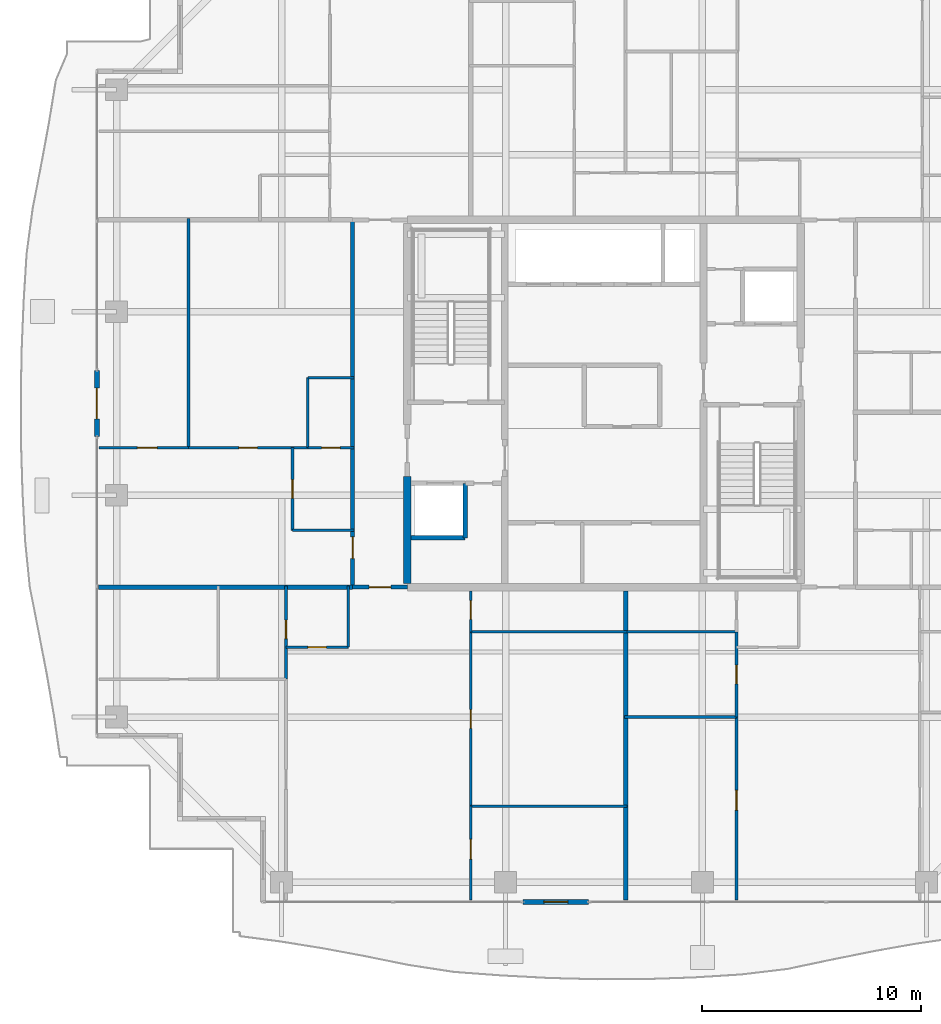
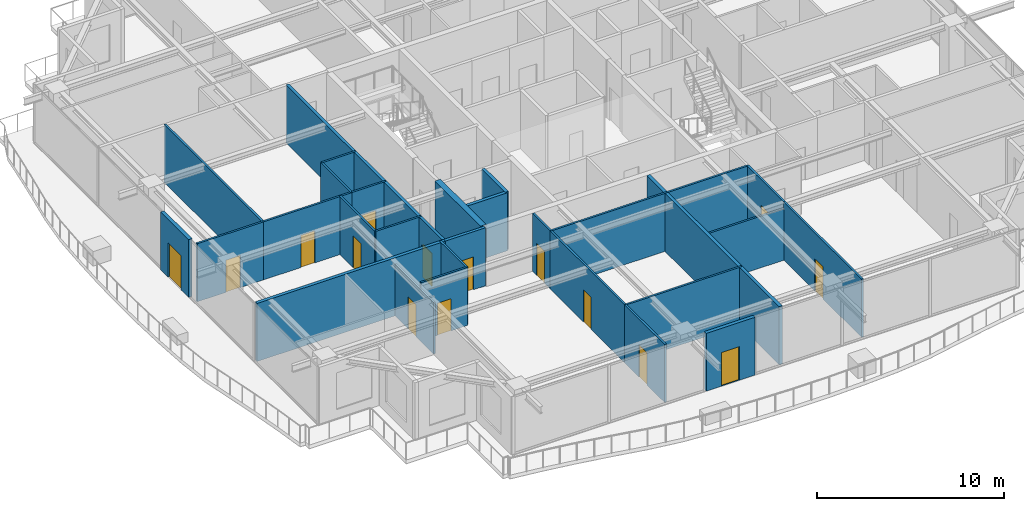
# One storey, part 27 of 38: 29 walls, 15 doors, 15 openings.
"""IFC4 building model written with IfcOpenShell, lengths in metres."""

from ifc_helpers import new_model, si_unit, direction, frame, frame_2d, origin, place, context, subcontext, project, spatial, rectangle, extrude, source, transform, mapped, material, layer, layer_set, type_object, element, fill, save


model = new_model("IFC4")

# Units and contexts
model_context = context("Model", 3, precision=1e-05, world=origin(), true_north=direction((0.0, 1.0)))
body_context = subcontext(model_context, "Body", "Model", "MODEL_VIEW")
ifc_project = project(units=[si_unit("LENGTHUNIT", "METRE"), si_unit("AREAUNIT", "SQUARE_METRE"), si_unit("VOLUMEUNIT", "CUBIC_METRE"), si_unit("PLANEANGLEUNIT", "RADIAN"), si_unit("MASSUNIT", "GRAM", prefix="KILO")], contexts=[model_context])

# Site, building, storey
site_placement = place(None, origin())
site = spatial("IfcSite", under=ifc_project, at=site_placement, CompositionType="ELEMENT")
building_placement = place(site_placement, origin())
building = spatial("IfcBuilding", under=site, at=building_placement, Name="Serunith Strait Residences", CompositionType="ELEMENT")
storey_placement = place(building_placement, frame((0.0, 0.0, 321.800048828125)))
storey = spatial("IfcBuildingStorey", under=building, at=storey_placement, Name="L80", CompositionType="ELEMENT", Elevation=321.800048828125)

# Wall, opening, door
ifc_material_1 = material(Name="Pale-Champagne Aluminium Insulated Panel", Category="aluminium")
ifc_layer_1 = layer(ifc_material_1, 0.219970703125, Name="Pale-Champagne Aluminium Insulated Panel")
ifc_layer_set_1 = layer_set([ifc_layer_1], Name="Pale-Champagne Aluminium Insulated Panel")
wall_type_1 = type_object("IfcWallType", Name="EW-ALUM-220", PredefinedType="ELEMENTEDWALL", material=ifc_layer_set_1)
wall_1_placement = place(storey_placement, frame((28.699951171875, 2.39990234375, 0.0), z_axis=(0.0, 0.0, 1.0), x_axis=(1.0, 0.0, 0.0)))
wall_1 = element("IfcWall", 1, at=wall_1_placement, inside=storey, type_object=wall_type_1, Name="L80 S Facade Pier Wall", PredefinedType="ELEMENTEDWALL", context=body_context, shape_type="SweptSolid", body=[
    extrude(rectangle(XDim=3.0, YDim=0.219970703125, at=frame_2d((1.5, 0.0))), origin(), (0.0, 0.0, 1.0), 3.77490234375),
])
opening_1_placement = place(wall_1_placement, frame((0.949951171875, 0.0, 0.0)))
opening_1 = element("IfcOpeningElement", 2, at=opening_1_placement, cuts=wall_1, Name="Opening ED-03", PredefinedType="OPENING", context=body_context, shape_type="SweptSolid", body=[
    extrude(rectangle(XDim=1.10009765625, YDim=2.199951171875, at=frame_2d((0.550048828125, 1.10009765625))), frame((0.0, 0.1201171875, 0.0), z_axis=(0.0, -1.0, 0.0), x_axis=(1.0, 0.0, 0.0)), (0.0, 0.0, 1.0), 0.239990234375),
])
ifc_material_2 = material(Name="Thermally-Broken Aluminium Glazed Balcony Door", Category="aluminium")
door_type_1 = type_object("IfcDoorType", Name="ED-BALC-1100", OperationType="NOTDEFINED", PredefinedType="DOOR", material=ifc_material_2)
shared_shape_1 = source(origin(), body_context, "Body", "SweptSolid", [
    extrude(rectangle(XDim=1.10009765625, YDim=2.199951171875, at=frame_2d((0.550048828125, 1.10009765625))), frame((0.0, 0.02490234375, 0.0), z_axis=(0.0, -1.0, 0.0), x_axis=(1.0, 0.0, 0.0)), (0.0, 0.0, 1.0), 0.050048828125),
])
door_1_placement = place(opening_1_placement, origin())
door_1 = element("IfcDoor", 3, at=door_1_placement, inside=storey, type_object=door_type_1, Name="L80 S Vertical-Forest Balcony Door", OperationType="SINGLE_SWING_LEFT", OverallHeight=2.199951171875, OverallWidth=1.10009765625, PredefinedType="DOOR", context=body_context, shape_type="MappedRepresentation", body=[
    mapped(shared_shape_1, transform((0.0, 0.0, 0.0), scale=1.0)),
])
fill(opening_1, door_1)

wall_2_placement = place(storey_placement, frame((9.199951171875, 26.699951171875, 0.0), z_axis=(0.0, 0.0, 1.0), x_axis=(0.0, -1.0, 0.0)))
wall_2 = element("IfcWall", 4, at=wall_2_placement, inside=storey, type_object=wall_type_1, Name="L80 W Facade Pier Wall", PredefinedType="ELEMENTEDWALL", context=body_context, shape_type="SweptSolid", body=[
    extrude(rectangle(XDim=3.0, YDim=0.219970703125, at=frame_2d((1.5, 0.0))), origin(), (0.0, 0.0, 1.0), 3.77490234375),
])
opening_2_placement = place(wall_2_placement, frame((0.800048828125, 0.0, 0.0)))
opening_2 = element("IfcOpeningElement", 5, at=opening_2_placement, cuts=wall_2, Name="Opening ED-04", PredefinedType="OPENING", context=body_context, shape_type="SweptSolid", body=[
    extrude(rectangle(XDim=1.39990234375, YDim=2.25, at=frame_2d((0.699951171875, 1.125))), frame((0.0, 0.1201171875, 0.0), z_axis=(0.0, -1.0, 0.0), x_axis=(1.0, 0.0, 0.0)), (0.0, 0.0, 1.0), 0.239990234375),
])
ifc_material_3 = material(Name="Thermally-Broken Aluminium Sliding Balcony Door", Category="aluminium")
door_type_2 = type_object("IfcDoorType", Name="ED-BALC-1400", OperationType="NOTDEFINED", PredefinedType="DOOR", material=ifc_material_3)
shared_shape_2 = source(origin(), body_context, "Body", "SweptSolid", [
    extrude(rectangle(XDim=1.39990234375, YDim=2.25, at=frame_2d((0.699951171875, 1.125))), frame((0.0, 0.02490234375, 0.0), z_axis=(0.0, -1.0, 0.0), x_axis=(1.0, 0.0, 0.0)), (0.0, 0.0, 1.0), 0.050048828125),
])
door_2_placement = place(opening_2_placement, origin())
door_2 = element("IfcDoor", 6, at=door_2_placement, inside=storey, type_object=door_type_2, Name="L80 W Vertical-Forest Balcony Door", OperationType="SLIDING_TO_LEFT", OverallHeight=2.25, OverallWidth=1.39990234375, PredefinedType="DOOR", context=body_context, shape_type="MappedRepresentation", body=[
    mapped(shared_shape_2, transform((0.0, 0.0, 0.0), scale=1.0)),
])
fill(opening_2, door_2)

ifc_material_4 = material(Name="Fire-rated acoustic gypsum partition")
ifc_layer_2 = layer(ifc_material_4, 0.179931640625, Name="Fire-rated acoustic gypsum partition")
ifc_layer_set_2 = layer_set([ifc_layer_2], Name="Fire-rated acoustic gypsum partition")
wall_type_2 = type_object("IfcWallType", Name="IW-CORR-180", PredefinedType="PARTITIONING", material=ifc_layer_set_2)
wall_3_placement = place(storey_placement, frame((20.902099609375, 16.800048828125, 0.0), z_axis=(0.0, 0.0, 1.0), x_axis=(1.0, 0.0, 0.0)))
wall_3 = element("IfcWall", 7, at=wall_3_placement, inside=storey, type_object=wall_type_2, Name="L80 Partition Wall 026", PredefinedType="PARTITIONING", context=body_context, shape_type="SweptSolid", body=[
    extrude(rectangle(XDim=2.495849609375, YDim=0.179931640625, at=frame_2d((1.248046875, 0.0))), origin(), (0.0, 0.0, 1.0), 3.7900390625),
])
opening_3_placement = place(wall_3_placement, frame((0.748046875, 0.0, 0.0)))
opening_3 = element("IfcOpeningElement", 8, at=opening_3_placement, cuts=wall_3, Name="Opening D-APT1000", PredefinedType="OPENING", context=body_context, shape_type="SweptSolid", body=[
    extrude(rectangle(XDim=1.0, YDim=2.14990234375, at=frame_2d((0.5, 1.074951171875))), frame((0.0, 0.10009765625, 0.0), z_axis=(0.0, -1.0, 0.0), x_axis=(1.0, 0.0, 0.0)), (0.0, 0.0, 1.0), 0.199951171875),
])
ifc_material_5 = material(Name="Solid timber engineered fire door", Category="wood")
door_type_3 = type_object("IfcDoorType", Name="ID-APT-1000", OperationType="NOTDEFINED", PredefinedType="DOOR", material=ifc_material_5)
shared_shape_3 = source(origin(), body_context, "Body", "SweptSolid", [
    extrude(rectangle(XDim=1.0, YDim=2.14990234375, at=frame_2d((0.5, 1.074951171875))), frame((0.0, 0.02490234375, 0.0), z_axis=(0.0, -1.0, 0.0), x_axis=(1.0, 0.0, 0.0)), (0.0, 0.0, 1.0), 0.050048828125),
])
door_3_placement = place(opening_3_placement, origin())
door_3 = element("IfcDoor", 9, at=door_3_placement, inside=storey, type_object=door_type_3, Name="L80 Unit 01 Entrance Door", OperationType="SINGLE_SWING_LEFT", OverallHeight=2.14990234375, OverallWidth=1.0, PredefinedType="DOOR", context=body_context, shape_type="MappedRepresentation", body=[
    mapped(shared_shape_3, transform((0.0, 0.0, 0.0), scale=1.0)),
])
fill(opening_3, door_3)

wall_4_placement = place(storey_placement, frame((20.89990234375, 16.800048828125, 0.0), z_axis=(0.0, 0.0, 1.0), x_axis=(0.0, 1.0, 0.0)))
wall_4 = element("IfcWall", 10, at=wall_4_placement, inside=storey, type_object=wall_type_2, Name="L80 Partition Wall 028", PredefinedType="PARTITIONING", context=body_context, shape_type="SweptSolid", body=[
    extrude(rectangle(XDim=16.800048828125, YDim=0.179931640625, at=frame_2d((8.39990234375, 0.0))), origin(), (0.0, 0.0, 1.0), 3.7900390625),
])
opening_4_placement = place(wall_4_placement, frame((1.300048828125, 0.0, 0.0)))
opening_4 = element("IfcOpeningElement", 11, at=opening_4_placement, cuts=wall_4, Name="Opening D-APT1000", PredefinedType="OPENING", context=body_context, shape_type="SweptSolid", body=[
    extrude(rectangle(XDim=1.0, YDim=2.14990234375, at=frame_2d((0.5, 1.074951171875))), frame((0.0, 0.10009765625, 0.0), z_axis=(0.0, -1.0, 0.0), x_axis=(1.0, 0.0, 0.0)), (0.0, 0.0, 1.0), 0.199951171875),
])
door_4_placement = place(opening_4_placement, origin())
door_4 = element("IfcDoor", 12, at=door_4_placement, inside=storey, type_object=door_type_3, Name="L80 Unit 05 Entrance Door", OperationType="SINGLE_SWING_LEFT", OverallHeight=2.14990234375, OverallWidth=1.0, PredefinedType="DOOR", context=body_context, shape_type="MappedRepresentation", body=[
    mapped(shared_shape_3, transform((0.0, 0.0, 0.0), scale=1.0)),
])
fill(opening_4, door_4)

ifc_material_6 = material(Name="Lightweight steel-stud gypsum partition", Category="steel")
ifc_layer_3 = layer(ifc_material_6, 0.1201171875, Name="Lightweight steel-stud gypsum partition")
ifc_layer_set_3 = layer_set([ifc_layer_3], Name="Lightweight steel-stud gypsum partition")
wall_type_3 = type_object("IfcWallType", Name="IW-PART-120", PredefinedType="PARTITIONING", material=ifc_layer_set_3)
wall_5_placement = place(storey_placement, frame((17.85009765625, 14.050048828125, 0.0), z_axis=(0.0, 0.0, 1.0), x_axis=(1.0, 0.0, 0.0)))
wall_5 = element("IfcWall", 13, at=wall_5_placement, inside=storey, type_object=wall_type_3, Name="L80 Partition Wall 032", PredefinedType="PARTITIONING", context=body_context, shape_type="SweptSolid", body=[
    extrude(rectangle(XDim=2.849853515625, YDim=0.1201171875, at=frame_2d((1.4248046875, 0.0))), origin(), (0.0, 0.0, 1.0), 3.7900390625),
])
opening_5_placement = place(wall_5_placement, frame((1.0, 0.0, 0.0)))
opening_5 = element("IfcOpeningElement", 14, at=opening_5_placement, cuts=wall_5, Name="Opening D-RM850", PredefinedType="OPENING", context=body_context, shape_type="SweptSolid", body=[
    extrude(rectangle(XDim=0.85009765625, YDim=2.10009765625, at=frame_2d((0.425048828125, 1.050048828125))), frame((0.0, 0.070068359375, 0.0), z_axis=(0.0, -1.0, 0.0), x_axis=(1.0, 0.0, 0.0)), (0.0, 0.0, 1.0), 0.14013671875),
])
ifc_material_7 = material(Name="Engineered timber flush study and kitchen door", Category="wood")
door_type_4 = type_object("IfcDoorType", Name="ID-ROOM-850", OperationType="NOTDEFINED", PredefinedType="DOOR", material=ifc_material_7)
shared_shape_4 = source(origin(), body_context, "Body", "SweptSolid", [
    extrude(rectangle(XDim=0.85009765625, YDim=2.10009765625, at=frame_2d((0.425048828125, 1.050048828125))), frame((0.0, 0.02490234375, 0.0), z_axis=(0.0, -1.0, 0.0), x_axis=(1.0, 0.0, 0.0)), (0.0, 0.0, 1.0), 0.050048828125),
])
door_5_placement = place(opening_5_placement, origin())
door_5 = element("IfcDoor", 15, at=door_5_placement, inside=storey, type_object=door_type_4, Name="L80 Kitchen 8001 Door", OperationType="SINGLE_SWING_RIGHT", OverallHeight=2.10009765625, OverallWidth=0.85009765625, PredefinedType="DOOR", context=body_context, shape_type="MappedRepresentation", body=[
    mapped(shared_shape_4, transform((0.0, 0.0, 0.0), scale=1.0)),
])
fill(opening_5, door_5)

# Wall
wall_6_placement = place(storey_placement, frame((20.699951171875, 14.050048828125, 0.0), z_axis=(0.0, 0.0, 1.0), x_axis=(0.0, 1.0, 0.0)))
element("IfcWall", 16, at=wall_6_placement, inside=storey, type_object=wall_type_3, Name="L80 Partition Wall 033", PredefinedType="PARTITIONING", context=body_context, shape_type="SweptSolid", body=[
    extrude(rectangle(XDim=2.81005859375, YDim=0.1201171875, at=frame_2d((1.405029296875, 0.0))), origin(), (0.0, 0.0, 1.0), 3.7900390625),
])

# Wall, opening, door
wall_7_placement = place(storey_placement, frame((17.85009765625, 12.594970703125, 0.0), z_axis=(0.0, 0.0, 1.0), x_axis=(0.0, 1.0, 0.0)))
wall_7 = element("IfcWall", 17, at=wall_7_placement, inside=storey, type_object=wall_type_3, Name="L80 Partition Wall 038", PredefinedType="PARTITIONING", context=body_context, shape_type="SweptSolid", body=[
    extrude(rectangle(XDim=4.26513671875, YDim=0.1201171875, at=frame_2d((2.132568359375, 0.0))), origin(), (0.0, 0.0, 1.0), 3.3720703125),
])
opening_6_placement = place(wall_7_placement, frame((1.846923828125, 0.0, 0.0)))
opening_6 = element("IfcOpeningElement", 18, at=opening_6_placement, cuts=wall_7, Name="Opening D-BTH850", PredefinedType="OPENING", context=body_context, shape_type="SweptSolid", body=[
    extrude(rectangle(XDim=0.85009765625, YDim=2.10009765625, at=frame_2d((0.425048828125, 1.050048828125))), frame((0.0, 0.070068359375, 0.0), z_axis=(0.0, -1.0, 0.0), x_axis=(1.0, 0.0, 0.0)), (0.0, 0.0, 1.0), 0.14013671875),
])
ifc_material_8 = material(Name="Moisture-resistant timber bathroom door", Category="wood")
door_type_5 = type_object("IfcDoorType", Name="ID-BATH-850", OperationType="NOTDEFINED", PredefinedType="DOOR", material=ifc_material_8)
door_6_placement = place(opening_6_placement, origin())
door_6 = element("IfcDoor", 19, at=door_6_placement, inside=storey, type_object=door_type_5, Name="L80 Bathroom 8001 Door", OperationType="SINGLE_SWING_LEFT", OverallHeight=2.10009765625, OverallWidth=0.85009765625, PredefinedType="DOOR", context=body_context, shape_type="MappedRepresentation", body=[
    mapped(shared_shape_4, transform((0.0, 0.0, 0.0), scale=1.0)),
])
fill(opening_6, door_6)

wall_8_placement = place(storey_placement, frame((26.300048828125, 2.4951171875, 0.0), z_axis=(0.0, 0.0, 1.0), x_axis=(0.0, 1.0, 0.0)))
wall_8 = element("IfcWall", 20, at=wall_8_placement, inside=storey, type_object=wall_type_3, Name="L80 Partition Wall 039", PredefinedType="PARTITIONING", context=body_context, shape_type="SweptSolid", body=[
    extrude(rectangle(XDim=4.282958984375, YDim=0.1201171875, at=frame_2d((2.1416015625, 0.0))), origin(), (0.0, 0.0, 1.0), 3.7900390625),
])
opening_7_placement = place(wall_8_placement, frame((1.861083984375, 0.0, 0.0)))
opening_7 = element("IfcOpeningElement", 21, at=opening_7_placement, cuts=wall_8, Name="Opening D-RM900", PredefinedType="OPENING", context=body_context, shape_type="SweptSolid", body=[
    extrude(rectangle(XDim=0.89990234375, YDim=2.10009765625, at=frame_2d((0.449951171875, 1.050048828125))), frame((0.0, 0.070068359375, 0.0), z_axis=(0.0, -1.0, 0.0), x_axis=(1.0, 0.0, 0.0)), (0.0, 0.0, 1.0), 0.14013671875),
])
ifc_material_9 = material(Name="Engineered timber flush bedroom door", Category="wood")
door_type_6 = type_object("IfcDoorType", Name="ID-ROOM-900", OperationType="NOTDEFINED", PredefinedType="DOOR", material=ifc_material_9)
shared_shape_5 = source(origin(), body_context, "Body", "SweptSolid", [
    extrude(rectangle(XDim=0.89990234375, YDim=2.10009765625, at=frame_2d((0.449951171875, 1.050048828125))), frame((0.0, 0.02490234375, 0.0), z_axis=(0.0, -1.0, 0.0), x_axis=(1.0, 0.0, 0.0)), (0.0, 0.0, 1.0), 0.050048828125),
])
door_7_placement = place(opening_7_placement, origin())
door_7 = element("IfcDoor", 22, at=door_7_placement, inside=storey, type_object=door_type_6, Name="L80 Bedroom 2 8001 Door", OperationType="SINGLE_SWING_RIGHT", OverallHeight=2.10009765625, OverallWidth=0.89990234375, PredefinedType="DOOR", context=body_context, shape_type="MappedRepresentation", body=[
    mapped(shared_shape_5, transform((0.0, 0.0, 0.0), scale=1.0)),
])
fill(opening_7, door_7)

# Walls
for number, where, z_axis, x_axis, name in (
    (23, (26.300048828125, 6.778076171875, 0.0), (0.0, 0.0, 1.0), (1.0, 0.0, 0.0), "L80 Partition Wall 040"),
    (24, (26.300048828125, 14.75, 0.0), (0.0, 0.0, 1.0), (1.0, 0.0, 0.0), "L80 Partition Wall 041"),
):
    element("IfcWall", number, at=place(storey_placement, frame(where, z_axis=z_axis, x_axis=x_axis)), inside=storey, type_object=wall_type_3, Name=name, PredefinedType="PARTITIONING", context=body_context, shape_type="SweptSolid", body=[
        extrude(rectangle(XDim=7.159912109375, YDim=0.1201171875, at=frame_2d((3.580078125, 0.0))), origin(), (0.0, 0.0, 1.0), 3.7900390625),
    ])

# Wall, opening, door
wall_9_placement = place(storey_placement, frame((26.300048828125, 6.780029296875, 0.0), z_axis=(0.0, 0.0, 1.0), x_axis=(0.0, 1.0, 0.0)))
wall_9 = element("IfcWall", 25, at=wall_9_placement, inside=storey, type_object=wall_type_3, Name="L80 Partition Wall 042", PredefinedType="PARTITIONING", context=body_context, shape_type="SweptSolid", body=[
    extrude(rectangle(XDim=7.969970703125, YDim=0.1201171875, at=frame_2d((3.98486328125, 0.0))), origin(), (0.0, 0.0, 1.0), 3.7900390625),
])
opening_8_placement = place(wall_9_placement, frame((3.56005859375, 0.0, 0.0)))
opening_8 = element("IfcOpeningElement", 26, at=opening_8_placement, cuts=wall_9, Name="Opening D-RM850", PredefinedType="OPENING", context=body_context, shape_type="SweptSolid", body=[
    extrude(rectangle(XDim=0.85009765625, YDim=2.10009765625, at=frame_2d((0.425048828125, 1.050048828125))), frame((0.0, 0.070068359375, 0.0), z_axis=(0.0, -1.0, 0.0), x_axis=(1.0, 0.0, 0.0)), (0.0, 0.0, 1.0), 0.14013671875),
])
door_8_placement = place(opening_8_placement, origin())
door_8 = element("IfcDoor", 27, at=door_8_placement, inside=storey, type_object=door_type_4, Name="L80 Walk-in Wardrobe 8001 Door", OperationType="SINGLE_SWING_LEFT", OverallHeight=2.10009765625, OverallWidth=0.85009765625, PredefinedType="DOOR", context=body_context, shape_type="MappedRepresentation", body=[
    mapped(shared_shape_4, transform((0.0, 0.0, 0.0), scale=1.0)),
])
fill(opening_8, door_8)

wall_10_placement = place(storey_placement, frame((26.300048828125, 14.751953125, 0.0), z_axis=(0.0, 0.0, 1.0), x_axis=(0.0, 1.0, 0.0)))
wall_10 = element("IfcWall", 28, at=wall_10_placement, inside=storey, type_object=wall_type_3, Name="L80 Partition Wall 043", PredefinedType="PARTITIONING", context=body_context, shape_type="SweptSolid", body=[
    extrude(rectangle(XDim=1.873046875, YDim=0.1201171875, at=frame_2d((0.9365234375, 0.0))), origin(), (0.0, 0.0, 1.0), 3.7900390625),
])
opening_9_placement = place(wall_10_placement, frame((0.574951171875, 0.0, 0.0)))
opening_9 = element("IfcOpeningElement", 29, at=opening_9_placement, cuts=wall_10, Name="Opening D-BTH850", PredefinedType="OPENING", context=body_context, shape_type="SweptSolid", body=[
    extrude(rectangle(XDim=0.85009765625, YDim=2.10009765625, at=frame_2d((0.425048828125, 1.050048828125))), frame((0.0, 0.070068359375, 0.0), z_axis=(0.0, -1.0, 0.0), x_axis=(1.0, 0.0, 0.0)), (0.0, 0.0, 1.0), 0.14013671875),
])
door_9_placement = place(opening_9_placement, origin())
door_9 = element("IfcDoor", 30, at=door_9_placement, inside=storey, type_object=door_type_5, Name="L80 Bathroom 8001 Door", OperationType="SINGLE_SWING_RIGHT", OverallHeight=2.10009765625, OverallWidth=0.85009765625, PredefinedType="DOOR", context=body_context, shape_type="MappedRepresentation", body=[
    mapped(shared_shape_4, transform((0.0, 0.0, 0.0), scale=1.0)),
])
fill(opening_9, door_9)

wall_11_placement = place(storey_placement, frame((38.4599609375, 2.4951171875, 0.0), z_axis=(0.0, 0.0, 1.0), x_axis=(0.0, 1.0, 0.0)))
wall_11 = element("IfcWall", 31, at=wall_11_placement, inside=storey, type_object=wall_type_3, Name="L80 Partition Wall 046", PredefinedType="PARTITIONING", context=body_context, shape_type="SweptSolid", body=[
    extrude(rectangle(XDim=8.36181640625, YDim=0.1201171875, at=frame_2d((4.180908203125, 0.0))), origin(), (0.0, 0.0, 1.0), 3.7900390625),
])
opening_10_placement = place(wall_11_placement, frame((4.10400390625, 0.0, 0.0)))
opening_10 = element("IfcOpeningElement", 32, at=opening_10_placement, cuts=wall_11, Name="Opening D-RM900", PredefinedType="OPENING", context=body_context, shape_type="SweptSolid", body=[
    extrude(rectangle(XDim=0.89990234375, YDim=2.10009765625, at=frame_2d((0.449951171875, 1.050048828125))), frame((0.0, 0.070068359375, 0.0), z_axis=(0.0, -1.0, 0.0), x_axis=(1.0, 0.0, 0.0)), (0.0, 0.0, 1.0), 0.14013671875),
])
door_10_placement = place(opening_10_placement, origin())
door_10 = element("IfcDoor", 33, at=door_10_placement, inside=storey, type_object=door_type_6, Name="L80 Master Bedroom 1 8002 Door", OperationType="SINGLE_SWING_RIGHT", OverallHeight=2.10009765625, OverallWidth=0.89990234375, PredefinedType="DOOR", context=body_context, shape_type="MappedRepresentation", body=[
    mapped(shared_shape_5, transform((0.0, 0.0, 0.0), scale=1.0)),
])
fill(opening_10, door_10)

# Walls
wall_12_placement = place(storey_placement, frame((33.340087890625, 10.85693359375, 0.0), z_axis=(0.0, 0.0, 1.0), x_axis=(1.0, 0.0, 0.0)))
element("IfcWall", 34, at=wall_12_placement, inside=storey, type_object=wall_type_3, Name="L80 Partition Wall 047", PredefinedType="PARTITIONING", context=body_context, shape_type="SweptSolid", body=[
    extrude(rectangle(XDim=5.119873046875, YDim=0.1201171875, at=frame_2d((2.56005859375, 0.0))), origin(), (0.0, 0.0, 1.0), 3.3720703125),
])
wall_13_placement = place(storey_placement, frame((33.4619140625, 14.75, 0.0), z_axis=(0.0, 0.0, 1.0), x_axis=(1.0, 0.0, 0.0)))
element("IfcWall", 35, at=wall_13_placement, inside=storey, type_object=wall_type_3, Name="L80 Partition Wall 048", PredefinedType="PARTITIONING", context=body_context, shape_type="SweptSolid", body=[
    extrude(rectangle(XDim=4.998046875, YDim=0.1201171875, at=frame_2d((2.4990234375, 0.0))), origin(), (0.0, 0.0, 1.0), 3.7900390625),
])

# Wall, opening, door
wall_14_placement = place(storey_placement, frame((38.4599609375, 10.85888671875, 0.0), z_axis=(0.0, 0.0, 1.0), x_axis=(0.0, 1.0, 0.0)))
wall_14 = element("IfcWall", 36, at=wall_14_placement, inside=storey, type_object=wall_type_3, Name="L80 Partition Wall 049", PredefinedType="PARTITIONING", context=body_context, shape_type="SweptSolid", body=[
    extrude(rectangle(XDim=3.89111328125, YDim=0.1201171875, at=frame_2d((1.945556640625, 0.0))), origin(), (0.0, 0.0, 1.0), 3.7900390625),
])
opening_11_placement = place(wall_14_placement, frame((1.52001953125, 0.0, 0.0)))
opening_11 = element("IfcOpeningElement", 37, at=opening_11_placement, cuts=wall_14, Name="Opening D-RM850", PredefinedType="OPENING", context=body_context, shape_type="SweptSolid", body=[
    extrude(rectangle(XDim=0.85009765625, YDim=2.10009765625, at=frame_2d((0.425048828125, 1.050048828125))), frame((0.0, 0.070068359375, 0.0), z_axis=(0.0, -1.0, 0.0), x_axis=(1.0, 0.0, 0.0)), (0.0, 0.0, 1.0), 0.14013671875),
])
door_11_placement = place(opening_11_placement, origin())
door_11 = element("IfcDoor", 38, at=door_11_placement, inside=storey, type_object=door_type_4, Name="L80 Laundry Room 8002 Door", OperationType="SINGLE_SWING_LEFT", OverallHeight=2.10009765625, OverallWidth=0.85009765625, PredefinedType="DOOR", context=body_context, shape_type="MappedRepresentation", body=[
    mapped(shared_shape_4, transform((0.0, 0.0, 0.0), scale=1.0)),
])
fill(opening_11, door_11)

wall_15_placement = place(storey_placement, frame((18.14990234375, 19.39990234375, 0.0), z_axis=(0.0, 0.0, 1.0), x_axis=(0.0, 1.0, 0.0)))
wall_15 = element("IfcWall", 39, at=wall_15_placement, inside=storey, type_object=wall_type_3, Name="L80 Partition Wall 085", PredefinedType="PARTITIONING", context=body_context, shape_type="SweptSolid", body=[
    extrude(rectangle(XDim=3.780029296875, YDim=0.1201171875, at=frame_2d((1.89013671875, 0.0))), origin(), (0.0, 0.0, 1.0), 3.7900390625),
])
opening_12_placement = place(wall_15_placement, frame((1.465087890625, 0.0, 0.0)))
opening_12 = element("IfcOpeningElement", 40, at=opening_12_placement, cuts=wall_15, Name="Opening D-RM850", PredefinedType="OPENING", context=body_context, shape_type="SweptSolid", body=[
    extrude(rectangle(XDim=0.85009765625, YDim=2.10009765625, at=frame_2d((0.425048828125, 1.050048828125))), frame((0.0, 0.070068359375, 0.0), z_axis=(0.0, -1.0, 0.0), x_axis=(1.0, 0.0, 0.0)), (0.0, 0.0, 1.0), 0.14013671875),
])
door_12_placement = place(opening_12_placement, origin())
door_12 = element("IfcDoor", 41, at=door_12_placement, inside=storey, type_object=door_type_4, Name="L80 Kitchen 8005 Door", OperationType="SINGLE_SWING_LEFT", OverallHeight=2.10009765625, OverallWidth=0.85009765625, PredefinedType="DOOR", context=body_context, shape_type="MappedRepresentation", body=[
    mapped(shared_shape_4, transform((0.0, 0.0, 0.0), scale=1.0)),
])
fill(opening_12, door_12)

# Wall
wall_16_placement = place(storey_placement, frame((18.14990234375, 19.39990234375, 0.0), z_axis=(0.0, 0.0, 1.0), x_axis=(1.0, 0.0, 0.0)))
element("IfcWall", 42, at=wall_16_placement, inside=storey, type_object=wall_type_3, Name="L80 Partition Wall 086", PredefinedType="PARTITIONING", context=body_context, shape_type="SweptSolid", body=[
    extrude(rectangle(XDim=2.81005859375, YDim=0.1201171875, at=frame_2d((1.405029296875, 0.0))), origin(), (0.0, 0.0, 1.0), 3.7900390625),
])

# Wall, opening, door
wall_17_placement = place(storey_placement, frame((9.294921875, 23.179931640625, 0.0), z_axis=(0.0, 0.0, 1.0), x_axis=(1.0, 0.0, 0.0)))
wall_17 = element("IfcWall", 43, at=wall_17_placement, inside=storey, type_object=wall_type_3, Name="L80 Partition Wall 087", PredefinedType="PARTITIONING", context=body_context, shape_type="SweptSolid", body=[
    extrude(rectangle(XDim=4.093994140625, YDim=0.1201171875, at=frame_2d((2.046875, 0.0))), origin(), (0.0, 0.0, 1.0), 3.7900390625),
])
opening_13_placement = place(wall_17_placement, frame((1.757080078125, 0.0, 0.0)))
opening_13 = element("IfcOpeningElement", 44, at=opening_13_placement, cuts=wall_17, Name="Opening D-RM900", PredefinedType="OPENING", context=body_context, shape_type="SweptSolid", body=[
    extrude(rectangle(XDim=0.89990234375, YDim=2.10009765625, at=frame_2d((0.449951171875, 1.050048828125))), frame((0.0, 0.070068359375, 0.0), z_axis=(0.0, -1.0, 0.0), x_axis=(1.0, 0.0, 0.0)), (0.0, 0.0, 1.0), 0.14013671875),
])
door_13_placement = place(opening_13_placement, origin())
door_13 = element("IfcDoor", 45, at=door_13_placement, inside=storey, type_object=door_type_6, Name="L80 Master Bedroom 1 8005 Door", OperationType="SINGLE_SWING_RIGHT", OverallHeight=2.10009765625, OverallWidth=0.89990234375, PredefinedType="DOOR", context=body_context, shape_type="MappedRepresentation", body=[
    mapped(shared_shape_5, transform((0.0, 0.0, 0.0), scale=1.0)),
])
fill(opening_13, door_13)

# Walls
wall_18_placement = place(storey_placement, frame((13.388916015625, 23.179931640625, 0.0), z_axis=(0.0, 0.0, 1.0), x_axis=(0.0, 1.0, 0.0)))
element("IfcWall", 46, at=wall_18_placement, inside=storey, type_object=wall_type_3, Name="L80 Partition Wall 088", PredefinedType="PARTITIONING", context=body_context, shape_type="SweptSolid", body=[
    extrude(rectangle(XDim=10.47998046875, YDim=0.1201171875, at=frame_2d((5.239990234375, 0.0))), origin(), (0.0, 0.0, 1.0), 3.7900390625),
])
wall_19_placement = place(storey_placement, frame((18.85009765625, 23.179931640625, 0.0), z_axis=(0.0, 0.0, 1.0), x_axis=(0.0, 1.0, 0.0)))
element("IfcWall", 47, at=wall_19_placement, inside=storey, type_object=wall_type_3, Name="L80 Partition Wall 089", PredefinedType="PARTITIONING", context=body_context, shape_type="SweptSolid", body=[
    extrude(rectangle(XDim=3.199951171875, YDim=0.1201171875, at=frame_2d((1.60009765625, 0.0))), origin(), (0.0, 0.0, 1.0), 3.7900390625),
])
wall_20_placement = place(storey_placement, frame((18.85009765625, 26.3798828125, 0.0), z_axis=(0.0, 0.0, 1.0), x_axis=(1.0, 0.0, 0.0)))
element("IfcWall", 48, at=wall_20_placement, inside=storey, type_object=wall_type_3, Name="L80 Partition Wall 090", PredefinedType="PARTITIONING", context=body_context, shape_type="SweptSolid", body=[
    extrude(rectangle(XDim=2.10986328125, YDim=0.1201171875, at=frame_2d((1.054931640625, 0.0))), origin(), (0.0, 0.0, 1.0), 3.7900390625),
])

# Wall, opening, door
wall_21_placement = place(storey_placement, frame((13.39111328125, 23.179931640625, 0.0), z_axis=(0.0, 0.0, 1.0), x_axis=(1.0, 0.0, 0.0)))
wall_21 = element("IfcWall", 49, at=wall_21_placement, inside=storey, type_object=wall_type_3, Name="L80 Partition Wall 091", PredefinedType="PARTITIONING", context=body_context, shape_type="SweptSolid", body=[
    extrude(rectangle(XDim=5.458984375, YDim=0.1201171875, at=frame_2d((2.7294921875, 0.0))), origin(), (0.0, 0.0, 1.0), 3.7900390625),
])
opening_14_placement = place(wall_21_placement, frame((2.304931640625, 0.0, 0.0)))
opening_14 = element("IfcOpeningElement", 50, at=opening_14_placement, cuts=wall_21, Name="Opening D-RM850", PredefinedType="OPENING", context=body_context, shape_type="SweptSolid", body=[
    extrude(rectangle(XDim=0.85009765625, YDim=2.10009765625, at=frame_2d((0.425048828125, 1.050048828125))), frame((0.0, 0.070068359375, 0.0), z_axis=(0.0, -1.0, 0.0), x_axis=(1.0, 0.0, 0.0)), (0.0, 0.0, 1.0), 0.14013671875),
])
door_14_placement = place(opening_14_placement, origin())
door_14 = element("IfcDoor", 51, at=door_14_placement, inside=storey, type_object=door_type_4, Name="L80 Walk-in Wardrobe 8005 Door", OperationType="SINGLE_SWING_LEFT", OverallHeight=2.10009765625, OverallWidth=0.85009765625, PredefinedType="DOOR", context=body_context, shape_type="MappedRepresentation", body=[
    mapped(shared_shape_4, transform((0.0, 0.0, 0.0), scale=1.0)),
])
fill(opening_14, door_14)

wall_22_placement = place(storey_placement, frame((18.85205078125, 23.179931640625, 0.0), z_axis=(0.0, 0.0, 1.0), x_axis=(1.0, 0.0, 0.0)))
wall_22 = element("IfcWall", 52, at=wall_22_placement, inside=storey, type_object=wall_type_3, Name="L80 Partition Wall 092", PredefinedType="PARTITIONING", context=body_context, shape_type="SweptSolid", body=[
    extrude(rectangle(XDim=2.10791015625, YDim=0.1201171875, at=frame_2d((1.053955078125, 0.0))), origin(), (0.0, 0.0, 1.0), 3.7900390625),
])
opening_15_placement = place(wall_22_placement, frame((0.62890625, 0.0, 0.0)))
opening_15 = element("IfcOpeningElement", 53, at=opening_15_placement, cuts=wall_22, Name="Opening D-BTH850", PredefinedType="OPENING", context=body_context, shape_type="SweptSolid", body=[
    extrude(rectangle(XDim=0.85009765625, YDim=2.10009765625, at=frame_2d((0.425048828125, 1.050048828125))), frame((0.0, 0.070068359375, 0.0), z_axis=(0.0, -1.0, 0.0), x_axis=(1.0, 0.0, 0.0)), (0.0, 0.0, 1.0), 0.14013671875),
])
door_15_placement = place(opening_15_placement, origin())
door_15 = element("IfcDoor", 54, at=door_15_placement, inside=storey, type_object=door_type_5, Name="L80 Bathroom 8005 Door", OperationType="SINGLE_SWING_RIGHT", OverallHeight=2.10009765625, OverallWidth=0.85009765625, PredefinedType="DOOR", context=body_context, shape_type="MappedRepresentation", body=[
    mapped(shared_shape_4, transform((0.0, 0.0, 0.0), scale=1.0)),
])
fill(opening_15, door_15)

# Walls
ifc_material_10 = material(Name="Twin-stud acoustic gypsum board partition")
ifc_layer_4 = layer(ifc_material_10, 0.199951171875, Name="Twin-stud acoustic gypsum board partition")
ifc_layer_set_4 = layer_set([ifc_layer_4], Name="Twin-stud acoustic gypsum board partition")
wall_type_4 = type_object("IfcWallType", Name="IW-PARTY-200", PredefinedType="PARTITIONING", material=ifc_layer_set_4)
wall_23_placement = place(storey_placement, frame((33.39990234375, 2.48193359375, 0.0), z_axis=(0.0, 0.0, 1.0), x_axis=(0.0, 1.0, 0.0)))
element("IfcWall", 55, at=wall_23_placement, inside=storey, type_object=wall_type_4, Name="L80 Partition Wall 019", PredefinedType="PARTITIONING", context=body_context, shape_type="SweptSolid", body=[
    extrude(rectangle(XDim=14.14306640625, YDim=0.199951171875, at=frame_2d((7.071533203125, 0.0))), origin(), (0.0, 0.0, 1.0), 3.7900390625),
])
wall_24_placement = place(storey_placement, frame((9.281982421875, 16.800048828125, 0.0), z_axis=(0.0, 0.0, 1.0), x_axis=(1.0, 0.0, 0.0)))
element("IfcWall", 56, at=wall_24_placement, inside=storey, type_object=wall_type_4, Name="L80 Partition Wall 022", PredefinedType="PARTITIONING", context=body_context, shape_type="SweptSolid", body=[
    extrude(rectangle(XDim=11.617919921875, YDim=0.199951171875, at=frame_2d((5.80908203125, 0.0))), origin(), (0.0, 0.0, 1.0), 3.7900390625),
])
ifc_material_11 = material(Name="Autoclaved aerated concrete blockwork", Category="masonry")
ifc_layer_5 = layer(ifc_material_11, 0.199951171875, Name="Autoclaved aerated concrete blockwork")
ifc_layer_set_5 = layer_set([ifc_layer_5], Name="Autoclaved aerated concrete blockwork")
wall_type_5 = type_object("IfcWallType", Name="IW-SHAFT-200", PredefinedType="STANDARD", material=ifc_layer_set_5)
wall_25_placement = place(storey_placement, frame((26.050048828125, 19.050048828125, 0.0), z_axis=(0.0, 0.0, 1.0), x_axis=(0.0, 1.0, 0.0)))
element("IfcWall", 57, at=wall_25_placement, inside=storey, type_object=wall_type_5, Name="L80 Partition Wall 001", PredefinedType="STANDARD", context=body_context, shape_type="SweptSolid", body=[
    extrude(rectangle(XDim=2.5, YDim=0.199951171875, at=frame_2d((1.25, 0.0))), origin(), (0.0, 0.0, 1.0), 3.7900390625),
])
wall_26_placement = place(storey_placement, frame((23.574951171875, 19.050048828125, 0.0), z_axis=(0.0, 0.0, 1.0), x_axis=(1.0, 0.0, 0.0)))
element("IfcWall", 58, at=wall_26_placement, inside=storey, type_object=wall_type_5, Name="L80 Partition Wall 002", PredefinedType="STANDARD", context=body_context, shape_type="SweptSolid", body=[
    extrude(rectangle(XDim=2.47509765625, YDim=0.199951171875, at=frame_2d((1.237548828125, 0.0))), origin(), (0.0, 0.0, 1.0), 3.7900390625),
])
ifc_material_12 = material(Name="Concrete C60/75", Category="concrete")
ifc_layer_6 = layer(ifc_material_12, 0.35009765625, Name="Concrete C60/75")
ifc_layer_set_6 = layer_set([ifc_layer_6], Name="Concrete C60/75")
wall_type_6 = type_object("IfcWallType", Name="SW-350-C60", PredefinedType="SHEAR", material=ifc_layer_set_6)
wall_27_placement = place(storey_placement, frame((23.39990234375, 16.97509765625, -0.260009765625), z_axis=(0.0, 0.0, 1.0), x_axis=(0.0, 1.0, 0.0)))
element("IfcWall", 59, at=wall_27_placement, inside=storey, type_object=wall_type_6, Name="L80 Core West Shear Wall South Pier", PredefinedType="SHEAR", context=body_context, shape_type="SweptSolid", body=[
    extrude(rectangle(XDim=4.875, YDim=0.35009765625, at=frame_2d((2.4375, 0.0))), origin(), (0.0, 0.0, 1.0), 4.0478515625),
])

save(model, "model.ifc")
